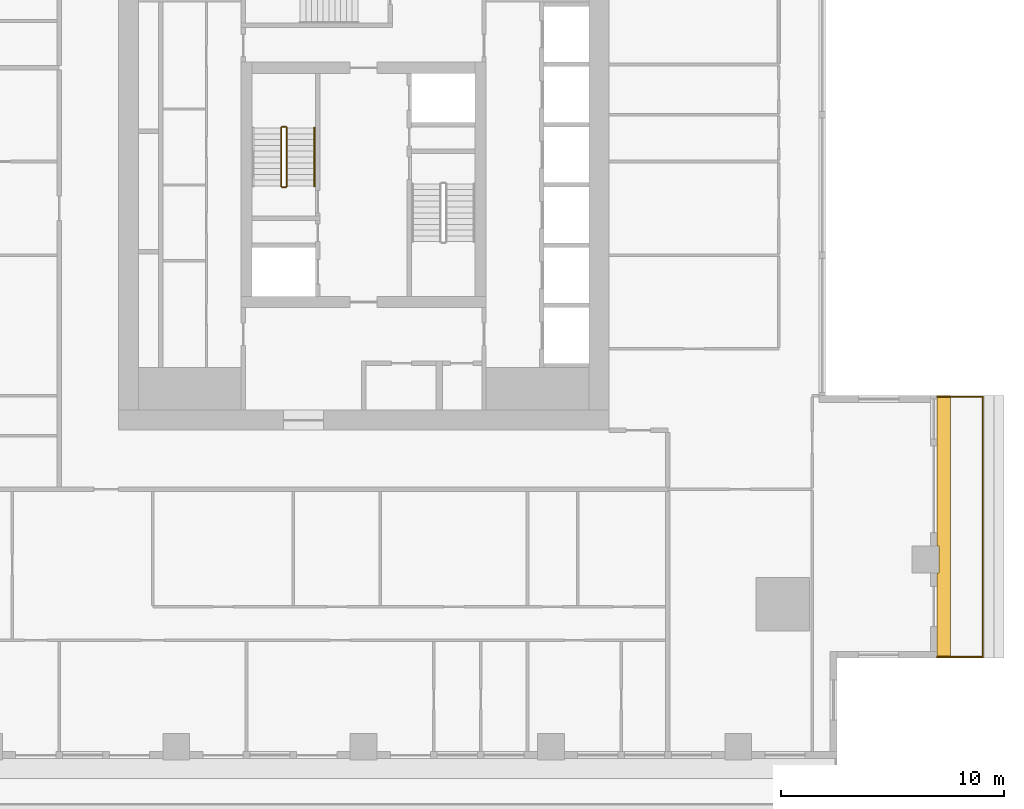
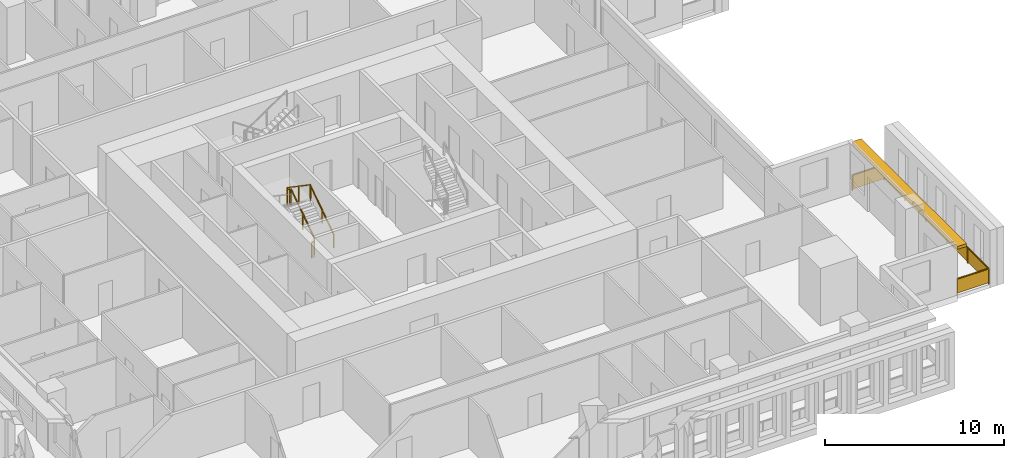
# One storey, part 12 of 15: 6 railings, 1 shading device.
"""IFC4 building model written with IfcOpenShell, lengths in metres."""

from ifc_helpers import new_model, si_unit, direction, frame, origin, origin_2d, place, context, subcontext, project, spatial, polyline, rectangle, outline, extrude, material, layer, layer_set, type_object, element, save


model = new_model("IFC4")

# Units and contexts
model_context = context("Model", 3, precision=1e-05, world=origin(), true_north=direction((0.0, 1.0)))
body_context = subcontext(model_context, "Body", "Model", "MODEL_VIEW")
ifc_project = project(units=[si_unit("LENGTHUNIT", "METRE"), si_unit("AREAUNIT", "SQUARE_METRE"), si_unit("VOLUMEUNIT", "CUBIC_METRE"), si_unit("PLANEANGLEUNIT", "RADIAN"), si_unit("MASSUNIT", "GRAM", prefix="KILO")], contexts=[model_context])

# Site, building, storey
site_placement = place(None, origin())
site = spatial("IfcSite", under=ifc_project, at=site_placement, CompositionType="ELEMENT")
building_placement = place(site_placement, origin())
building = spatial("IfcBuilding", under=site, at=building_placement, Name="Khepri Terraces", CompositionType="ELEMENT")
storey_placement = place(building_placement, frame((0.0, 0.0, 215.699951171875)))
storey = spatial("IfcBuildingStorey", under=building, at=storey_placement, Name="L51", CompositionType="ELEMENT", Elevation=215.699951171875)

# Railings
ifc_material_1 = material(Name="Stainless steel grade 316", Category="steel")
railing_type_1 = type_object("IfcRailingType", Name="GRD-BAL-1100", PredefinedType="GUARDRAIL", material=ifc_material_1)
railing_1_placement = place(storey_placement, frame((25.719970703125, -21.169921875, 0.0)))
element("IfcRailing", 1, at=railing_1_placement, inside=storey, type_object=railing_type_1, Name="Balcony guard L51 E", PredefinedType="GUARDRAIL", context=body_context, shape_type="SweptSolid", body=[
    extrude(rectangle(XDim=0.050048828125, YDim=0.06005859375, at=origin_2d()), frame((0.0, 0.0, 1.070068359375), z_axis=(1.0, 0.0, 0.0), x_axis=(0.0, 1.0, 0.0)), (0.0, 0.0, 1.0), 2.050048828125),
    extrude(rectangle(XDim=2.0, YDim=0.011962890625, at=origin_2d()), frame((1.02490234375, 0.0, 0.10009765625), z_axis=(0.0, 0.0, 1.0), x_axis=(1.0, 0.0, 0.0)), (0.0, 0.0, 1.0), 0.93994140625),
    extrude(rectangle(XDim=0.050048828125, YDim=0.06005859375, at=origin_2d()), frame((2.050048828125, 0.0, 1.070068359375), z_axis=(0.0, 1.0, 0.0), x_axis=(-1.0, 0.0, 0.0)), (0.0, 0.0, 1.0), 11.669921875),
    extrude(rectangle(XDim=2.283935546875, YDim=0.011962890625, at=origin_2d()), frame((2.050048828125, 1.1669921875, 0.10009765625), z_axis=(0.0, 0.0, 1.0), x_axis=(0.0, 1.0, 0.0)), (0.0, 0.0, 1.0), 0.93994140625),
    extrude(rectangle(XDim=2.283935546875, YDim=0.011962890625, at=origin_2d()), frame((2.050048828125, 3.5009765625, 0.10009765625), z_axis=(0.0, 0.0, 1.0), x_axis=(0.0, 1.0, 0.0)), (0.0, 0.0, 1.0), 0.93994140625),
    extrude(rectangle(XDim=2.283935546875, YDim=0.011962890625, at=origin_2d()), frame((2.050048828125, 5.8349609375, 0.10009765625), z_axis=(0.0, 0.0, 1.0), x_axis=(0.0, 1.0, 0.0)), (0.0, 0.0, 1.0), 0.93994140625),
    extrude(rectangle(XDim=2.283935546875, YDim=0.011962890625, at=origin_2d()), frame((2.050048828125, 8.1689453125, 0.10009765625), z_axis=(0.0, 0.0, 1.0), x_axis=(0.0, 1.0, 0.0)), (0.0, 0.0, 1.0), 0.93994140625),
    extrude(rectangle(XDim=2.283935546875, YDim=0.011962890625, at=origin_2d()), frame((2.050048828125, 10.5029296875, 0.10009765625), z_axis=(0.0, 0.0, 1.0), x_axis=(0.0, 1.0, 0.0)), (0.0, 0.0, 1.0), 0.93994140625),
    extrude(rectangle(XDim=0.050048828125, YDim=0.06005859375, at=origin_2d()), frame((2.050048828125, 11.669921875, 1.070068359375), z_axis=(-1.0, 0.0, 0.0), x_axis=(0.0, -1.0, 0.0)), (0.0, 0.0, 1.0), 2.050048828125),
    extrude(rectangle(XDim=2.0, YDim=0.011962890625, at=origin_2d()), frame((1.02490234375, 11.669921875, 0.10009765625), z_axis=(0.0, 0.0, 1.0), x_axis=(-1.0, 0.0, 0.0)), (0.0, 0.0, 1.0), 0.93994140625),
    extrude(rectangle(XDim=0.050048828125, YDim=0.050048828125, at=origin_2d()), origin(), (0.0, 0.0, 1.0), 1.0400390625),
    extrude(rectangle(XDim=0.050048828125, YDim=0.050048828125, at=origin_2d()), frame((2.050048828125, 0.0, 0.0)), (0.0, 0.0, 1.0), 1.0400390625),
    extrude(rectangle(XDim=0.050048828125, YDim=0.050048828125, at=origin_2d()), frame((2.050048828125, 2.333984375, 0.0)), (0.0, 0.0, 1.0), 1.0400390625),
    extrude(rectangle(XDim=0.050048828125, YDim=0.050048828125, at=origin_2d()), frame((2.050048828125, 4.66796875, 0.0)), (0.0, 0.0, 1.0), 1.0400390625),
    extrude(rectangle(XDim=0.050048828125, YDim=0.050048828125, at=origin_2d()), frame((2.050048828125, 7.001953125, 0.0)), (0.0, 0.0, 1.0), 1.0400390625),
    extrude(rectangle(XDim=0.050048828125, YDim=0.050048828125, at=origin_2d()), frame((2.050048828125, 9.3359375, 0.0)), (0.0, 0.0, 1.0), 1.0400390625),
    extrude(rectangle(XDim=0.050048828125, YDim=0.050048828125, at=origin_2d()), frame((2.050048828125, 11.669921875, 0.0)), (0.0, 0.0, 1.0), 1.0400390625),
    extrude(rectangle(XDim=0.050048828125, YDim=0.050048828125, at=origin_2d()), frame((0.0, 11.669921875, 0.0)), (0.0, 0.0, 1.0), 1.0400390625),
])
ifc_material_2 = material(Name="Stainless steel 316", Category="steel")
railing_type_2 = type_object("IfcRailingType", Name="RL-CORE-GUARD", PredefinedType="GUARDRAIL", material=ifc_material_2)
railing_2_placement = place(storey_placement, frame((-3.449951171875, -0.050048828125, 0.17724609375)))
element("IfcRailing", 2, at=railing_2_placement, inside=storey, type_object=railing_type_2, Name="L51 ST-1 stair guard 1", PredefinedType="GUARDRAIL", context=body_context, shape_type="SweptSolid", body=[
    extrude(rectangle(XDim=0.050048828125, YDim=0.06005859375, at=origin_2d()), frame((0.0, 0.0, 1.070068359375), z_axis=(0.0, 0.826240473404, 0.563317565952), x_axis=(-1.0, 0.0, 0.0)), (0.0, 0.0, 1.0), 3.14697265625),
    extrude(rectangle(XDim=0.050048828125, YDim=0.050048828125, at=origin_2d()), origin(), (0.0, 0.0, 1.0), 1.0400390625),
    extrude(rectangle(XDim=0.050048828125, YDim=0.050048828125, at=origin_2d()), frame((0.0, 1.300048828125, 0.88623046875)), (0.0, 0.0, 1.0), 1.0400390625),
    extrude(rectangle(XDim=0.050048828125, YDim=0.050048828125, at=origin_2d()), frame((0.0, 2.60009765625, 1.772705078125)), (0.0, 0.0, 1.0), 1.0400390625),
])
railing_3_placement = place(storey_placement, frame((-3.5, 2.60009765625, 1.949951171875)))
element("IfcRailing", 3, at=railing_3_placement, inside=storey, type_object=railing_type_2, Name="L51 ST-1 stair guard 2", PredefinedType="GUARDRAIL", context=body_context, shape_type="SweptSolid", body=[
    extrude(rectangle(XDim=0.050048828125, YDim=0.06005859375, at=origin_2d()), frame((0.0, 0.0, 1.070068359375), z_axis=(-1.0, 0.0, 0.0), x_axis=(0.0, -1.0, 0.0)), (0.0, 0.0, 1.0), 0.14990234375),
    extrude(rectangle(XDim=0.050048828125, YDim=0.050048828125, at=origin_2d()), origin(), (0.0, 0.0, 1.0), 1.0400390625),
    extrude(rectangle(XDim=0.050048828125, YDim=0.050048828125, at=origin_2d()), frame((-0.14990234375, 0.0, 0.0)), (0.0, 0.0, 1.0), 1.0400390625),
])
railing_4_placement = place(storey_placement, frame((-3.699951171875, 2.550048828125, 2.12744140625)))
element("IfcRailing", 4, at=railing_4_placement, inside=storey, type_object=railing_type_2, Name="L51 ST-1 stair guard 3", PredefinedType="GUARDRAIL", context=body_context, shape_type="SweptSolid", body=[
    extrude(rectangle(XDim=0.050048828125, YDim=0.06005859375, at=origin_2d()), frame((0.0, 0.0, 1.070068359375), z_axis=(0.0, -0.826240473404, 0.563317565952), x_axis=(1.0, 0.0, 0.0)), (0.0, 0.0, 1.0), 3.14697265625),
    extrude(rectangle(XDim=0.050048828125, YDim=0.050048828125, at=origin_2d()), origin(), (0.0, 0.0, 1.0), 1.0400390625),
    extrude(rectangle(XDim=0.050048828125, YDim=0.050048828125, at=origin_2d()), frame((0.0, -1.300048828125, 0.88623046875)), (0.0, 0.0, 1.0), 1.0400390625),
    extrude(rectangle(XDim=0.050048828125, YDim=0.050048828125, at=origin_2d()), frame((0.0, -2.60009765625, 1.772705078125)), (0.0, 0.0, 1.0), 1.0400390625),
])
railing_5_placement = place(storey_placement, frame((-3.5, -0.10009765625, 0.0)))
element("IfcRailing", 5, at=railing_5_placement, inside=storey, type_object=railing_type_2, Name="L51 ST-1 stair guard 4", PredefinedType="GUARDRAIL", context=body_context, shape_type="SweptSolid", body=[
    extrude(rectangle(XDim=0.050048828125, YDim=0.06005859375, at=origin_2d()), frame((0.0, 0.0, 1.070068359375), z_axis=(-1.0, 0.0, 0.0), x_axis=(0.0, -1.0, 0.0)), (0.0, 0.0, 1.0), 0.14990234375),
    extrude(rectangle(XDim=0.050048828125, YDim=0.050048828125, at=origin_2d()), origin(), (0.0, 0.0, 1.0), 1.0400390625),
    extrude(rectangle(XDim=0.050048828125, YDim=0.050048828125, at=origin_2d()), frame((-0.14990234375, 0.0, 0.0)), (0.0, 0.0, 1.0), 1.0400390625),
])
railing_type_3 = type_object("IfcRailingType", Name="RL-CORE-HANDRAIL", PredefinedType="HANDRAIL", material=ifc_material_2)
railing_6_placement = place(storey_placement, frame((-2.199951171875, -0.050048828125, 0.17724609375)))
element("IfcRailing", 6, at=railing_6_placement, inside=storey, type_object=railing_type_3, Name="L51 ST-1 stair handrail 1", PredefinedType="HANDRAIL", context=body_context, shape_type="SweptSolid", body=[
    extrude(rectangle(XDim=0.050048828125, YDim=0.050048828125, at=origin_2d()), frame((0.0, 0.0, 0.875), z_axis=(0.0, 0.826240473404, 0.563317565952), x_axis=(-1.0, 0.0, 0.0)), (0.0, 0.0, 1.0), 3.14697265625),
    extrude(rectangle(XDim=0.050048828125, YDim=0.050048828125, at=origin_2d()), origin(), (0.0, 0.0, 1.0), 0.849853515625),
    extrude(rectangle(XDim=0.050048828125, YDim=0.050048828125, at=origin_2d()), frame((0.0, 1.300048828125, 0.88623046875)), (0.0, 0.0, 1.0), 0.849853515625),
    extrude(rectangle(XDim=0.050048828125, YDim=0.050048828125, at=origin_2d()), frame((0.0, 2.60009765625, 1.772705078125)), (0.0, 0.0, 1.0), 0.849853515625),
])

# Shading device
ifc_material_3 = material(Name="Precast concrete C50/60 warm stone", Category="masonry")
ifc_layer = layer(ifc_material_3, 0.199951171875, Name="Precast concrete C50/60 warm stone", Category="masonry")
ifc_layer_set = layer_set([ifc_layer], Name="Precast concrete C50/60 warm stone")
shading_device_type = type_object("IfcShadingDeviceType", Name="SSH-BAND-STONE-200-N", PredefinedType="USERDEFINED", material=ifc_layer_set)
shading_device_placement = place(storey_placement, frame((0.0, 0.0, 3.10009765625)))
element("IfcShadingDevice", 7, at=shading_device_placement, inside=storey, type_object=shading_device_type, Name="Sunshade band L51 E", ObjectType="SUNSHADE", PredefinedType="USERDEFINED", context=body_context, shape_type="SweptSolid", body=[
    extrude(outline(polyline([(25.719970703125, -17.39990234375), (25.719970703125, -21.219970703125), (26.320068359375, -21.219970703125), (26.320068359375, -9.449951171875), (25.719970703125, -9.449951171875), (25.719970703125, -16.199951171875), (25.800048828125, -16.199951171875), (25.800048828125, -17.39990234375), (25.719970703125, -17.39990234375)])), origin(), (0.0, 0.0, 1.0), 0.199951171875),
])

save(model, "model.ifc")
